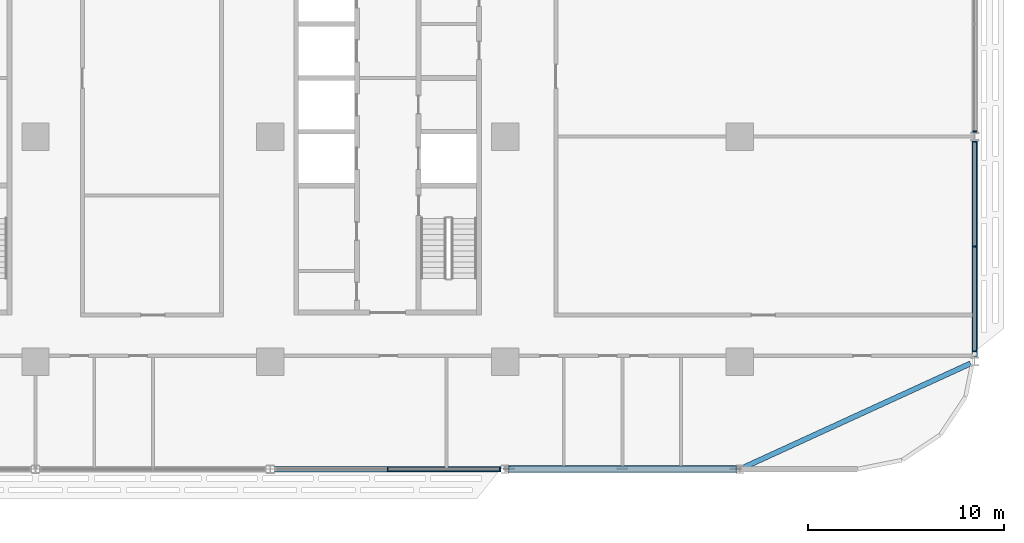
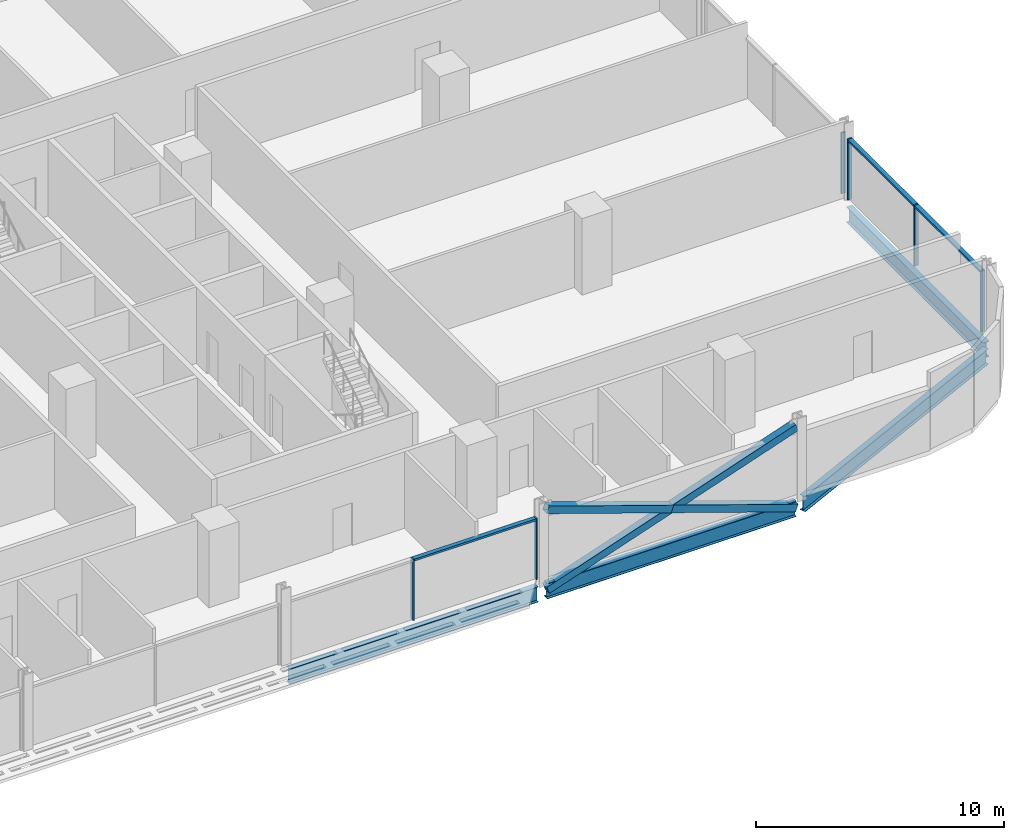
# One storey, part 8 of 29: 12 members, 4 beams, 3 elements without a shape of their own.
"""IFC4 building model written with IfcOpenShell, lengths in metres."""

from ifc_helpers import new_model, si_unit, direction, frame, origin, origin_2d, place, context, subcontext, project, spatial, rectangle, hollow_rectangle, i_section, extrude, material, material_profile, profile_set, type_object, element, aggregate, save


model = new_model("IFC4")

# Units and contexts
model_context = context("Model", 3, precision=1e-05, world=origin(), true_north=direction((0.0, 1.0)))
body_context = subcontext(model_context, "Body", "Model", "MODEL_VIEW")
ifc_project = project(units=[si_unit("LENGTHUNIT", "METRE"), si_unit("AREAUNIT", "SQUARE_METRE"), si_unit("VOLUMEUNIT", "CUBIC_METRE"), si_unit("PLANEANGLEUNIT", "RADIAN"), si_unit("MASSUNIT", "GRAM", prefix="KILO")], contexts=[model_context])

# Site, building, storey
site_placement = place(None, origin())
site = spatial("IfcSite", under=ifc_project, at=site_placement, CompositionType="ELEMENT")
building_placement = place(site_placement, origin())
building = spatial("IfcBuilding", under=site, at=building_placement, Name="Mahtab Terrace Research Tower", CompositionType="ELEMENT")
storey_placement = place(building_placement, frame((0.0, 0.0, 105.300048828125)))
storey = spatial("IfcBuildingStorey", under=building, at=storey_placement, Name="L24", CompositionType="ELEMENT", Elevation=105.300048828125)

# Members
ifc_material_1 = material(Name="Steel ASTM A500 Gr C", Category="steel")
ifc_material_profile_1 = material_profile(ifc_material_1, hollow_rectangle(XDim=0.355712890625, YDim=0.355712890625, WallThickness=0.01904296875, at=origin_2d()), Name="HSS14X14X3/4")
ifc_profile_set_1 = profile_set([ifc_material_profile_1], Name="Steel ASTM A500 Gr C")
member_type_1 = type_object("IfcMemberType", Name="HSS 14x14x3/4 brace XB141434", PredefinedType="BRACE", material=ifc_profile_set_1)
member_1_placement = place(storey_placement, frame((30.20947265625, -17.0, -0.64697265625), z_axis=(0.946292853795, 0.0, 0.323310740397), x_axis=(0.0, 1.0, 0.0)))
element("IfcMember", 1, at=member_1_placement, inside=storey, type_object=member_type_1, Name="Exoskeleton brace L24 18 a", PredefinedType="BRACE", context=body_context, shape_type="SweptSolid", body=[
    extrude(hollow_rectangle(XDim=0.355712890625, YDim=0.355712890625, WallThickness=0.01904296875, at=origin_2d()), origin(), (0.0, 0.0, 1.0), 12.23828125),
])
for number, where, z_axis, x_axis, name in (
    (2, (41.79052734375, -17.0, -0.64697265625), (-0.946286750388, 0.0, 0.323328603809), (0.0, -1.0, 0.0), "Exoskeleton brace L24 18 b1"),
    (3, (36.0, -17.0, 1.33154296875), (-0.946298956945, 0.0, 0.323292876639), (0.0, -1.0, 0.0), "Exoskeleton brace L24 18 b2"),
):
    element("IfcMember", number, at=place(storey_placement, frame(where, z_axis=z_axis, x_axis=x_axis)), inside=storey, type_object=member_type_1, Name=name, PredefinedType="BRACE", context=body_context, shape_type="SweptSolid", body=[
        extrude(hollow_rectangle(XDim=0.355712890625, YDim=0.355712890625, WallThickness=0.01904296875, at=origin_2d()), origin(), (0.0, 0.0, 1.0), 6.119140625),
    ])

# Curtain wall, members
ifc_material_2 = material(Name="Laboratory ribbon curtain wall")
curtain_wall_type = type_object("IfcCurtainWallType", Name="Laboratory ribbon curtain wall", PredefinedType="NOTDEFINED", material=ifc_material_2)
curtain_wall_1_placement = place(storey_placement, origin())
curtain_wall_1 = element("IfcCurtainWall", 4, at=curtain_wall_1_placement, inside=storey, type_object=curtain_wall_type, Name="EN.L24.13.28", PredefinedType="NOTDEFINED")
ifc_material_3 = material(Name="Natural anodised aluminium", Category="aluminium")
ifc_material_profile_2 = material_profile(ifc_material_3, rectangle(XDim=0.199951171875, YDim=0.06494140625, at=origin_2d()), Name="MULLION 65x200")
ifc_profile_set_2 = profile_set([ifc_material_profile_2], Name="Natural anodised aluminium")
member_type_2 = type_object("IfcMemberType", Name="Laboratory ribbon curtain wall mullion", PredefinedType="MULLION", material=ifc_profile_set_2)
member_2_placement = place(storey_placement, frame((24.0, -17.0, 0.0), z_axis=(0.0, 0.0, 1.0), x_axis=(0.0, 1.0, 0.0)))
member_2 = element("IfcMember", 5, at=member_2_placement, type_object=member_type_2, Name="CWL-3 mullion 2", PredefinedType="MULLION", context=body_context, shape_type="SweptSolid", body=[
    extrude(rectangle(XDim=0.199951171875, YDim=0.06494140625, at=origin_2d()), origin(), (0.0, 0.0, 1.0), 3.0029296875),
])
member_3_placement = place(storey_placement, frame((29.739501953125, -17.0, 0.0), z_axis=(0.0, 0.0, 1.0), x_axis=(0.0, 1.0, 0.0)))
member_3 = element("IfcMember", 6, at=member_3_placement, type_object=member_type_2, Name="CWL-3 mullion 3", PredefinedType="MULLION", context=body_context, shape_type="SweptSolid", body=[
    extrude(rectangle(XDim=0.199951171875, YDim=0.06494140625, at=origin_2d()), origin(), (0.0, 0.0, 1.0), 3.0029296875),
])

curtain_wall_2_placement = place(storey_placement, origin())
curtain_wall_2 = element("IfcCurtainWall", 7, at=curtain_wall_2_placement, inside=storey, type_object=curtain_wall_type, Name="EN.L24.18.36", PredefinedType="NOTDEFINED")
member_4_placement = place(storey_placement, frame((54.0, -10.967529296875, 0.0), z_axis=(0.0, 0.0, 1.0), x_axis=(-1.0, 0.0, 0.0)))
member_4 = element("IfcMember", 8, at=member_4_placement, type_object=member_type_2, Name="CWL-3 mullion 1", PredefinedType="MULLION", context=body_context, shape_type="SweptSolid", body=[
    extrude(rectangle(XDim=0.199951171875, YDim=0.06494140625, at=origin_2d()), origin(), (0.0, 0.0, 1.0), 3.0029296875),
])
member_5_placement = place(storey_placement, frame((54.0, -5.614013671875, 0.0), z_axis=(0.0, 0.0, 1.0), x_axis=(-1.0, 0.0, 0.0)))
member_5 = element("IfcMember", 9, at=member_5_placement, type_object=member_type_2, Name="CWL-3 mullion 2", PredefinedType="MULLION", context=body_context, shape_type="SweptSolid", body=[
    extrude(rectangle(XDim=0.199951171875, YDim=0.06494140625, at=origin_2d()), origin(), (0.0, 0.0, 1.0), 3.0029296875),
])
member_6_placement = place(storey_placement, frame((54.0, -0.260498046875, 0.0), z_axis=(0.0, 0.0, 1.0), x_axis=(-1.0, 0.0, 0.0)))
member_6 = element("IfcMember", 10, at=member_6_placement, type_object=member_type_2, Name="CWL-3 mullion 3", PredefinedType="MULLION", context=body_context, shape_type="SweptSolid", body=[
    extrude(rectangle(XDim=0.199951171875, YDim=0.06494140625, at=origin_2d()), origin(), (0.0, 0.0, 1.0), 3.0029296875),
])

# Curtain wall, member
curtain_wall_3_placement = place(storey_placement, origin())
curtain_wall_3 = element("IfcCurtainWall", 11, at=curtain_wall_3_placement, inside=storey, type_object=curtain_wall_type, Name="EN.L24.18.37", PredefinedType="NOTDEFINED")
member_7_placement = place(storey_placement, frame((54.0, 0.260498046875, 0.0), z_axis=(0.0, 0.0, 1.0), x_axis=(-1.0, 0.0, 0.0)))
member_7 = element("IfcMember", 12, at=member_7_placement, type_object=member_type_2, Name="CWL-3 mullion 1", PredefinedType="MULLION", context=body_context, shape_type="SweptSolid", body=[
    extrude(rectangle(XDim=0.199951171875, YDim=0.06494140625, at=origin_2d()), origin(), (0.0, 0.0, 1.0), 3.0029296875),
])
aggregate(curtain_wall_3, [member_7])

# Member
ifc_material_profile_3 = material_profile(ifc_material_3, rectangle(XDim=0.199951171875, YDim=0.10009765625, at=origin_2d()), Name="TRANSOM 100x200")
ifc_profile_set_3 = profile_set([ifc_material_profile_3], Name="Natural anodised aluminium")
member_type_3 = type_object("IfcMemberType", Name="Laboratory ribbon curtain wall transom", PredefinedType="USERDEFINED", material=ifc_profile_set_3)
member_8_placement = place(storey_placement, frame((24.032470703125, -17.0, 2.953125), z_axis=(1.0, 0.0, 0.0), x_axis=(0.0, 1.0, 0.0)))
member_8 = element("IfcMember", 13, at=member_8_placement, type_object=member_type_3, Name="CWL-3 transom 2", ObjectType="TRANSOM", PredefinedType="USERDEFINED", context=body_context, shape_type="SweptSolid", body=[
    extrude(rectangle(XDim=0.199951171875, YDim=0.10009765625, at=origin_2d()), origin(), (0.0, 0.0, 1.0), 5.674560546875),
])

aggregate(curtain_wall_1, [member_2, member_3, member_8])

member_9_placement = place(storey_placement, frame((54.0, -10.93505859375, 2.953125), z_axis=(0.0, 1.0, 0.0), x_axis=(-1.0, 0.0, 0.0)))
member_9 = element("IfcMember", 14, at=member_9_placement, type_object=member_type_3, Name="CWL-3 transom 1", ObjectType="TRANSOM", PredefinedType="USERDEFINED", context=body_context, shape_type="SweptSolid", body=[
    extrude(rectangle(XDim=0.199951171875, YDim=0.10009765625, at=origin_2d()), origin(), (0.0, 0.0, 1.0), 5.28857421875),
])

member_10_placement = place(storey_placement, frame((54.0, -5.58154296875, 2.953125), z_axis=(0.0, 1.0, 0.0), x_axis=(-1.0, 0.0, 0.0)))
member_10 = element("IfcMember", 15, at=member_10_placement, type_object=member_type_3, Name="CWL-3 transom 2", ObjectType="TRANSOM", PredefinedType="USERDEFINED", context=body_context, shape_type="SweptSolid", body=[
    extrude(rectangle(XDim=0.199951171875, YDim=0.10009765625, at=origin_2d()), origin(), (0.0, 0.0, 1.0), 5.28857421875),
])

aggregate(curtain_wall_2, [member_4, member_5, member_6, member_9, member_10])

# Beams
ifc_material_4 = material(Name="Steel ASTM A992 Gr 50", Category="steel")
ifc_material_profile_4 = material_profile(ifc_material_4, i_section(OverallWidth=0.2666015625, OverallDepth=0.7568359375, WebThickness=0.013916015625, FlangeThickness=0.019287109375, at=origin_2d()), Name="W30X108")
ifc_profile_set_4 = profile_set([ifc_material_profile_4], Name="Steel ASTM A992 Gr 50")
beam_type = type_object("IfcBeamType", Name="W30x108 beam BS30108", PredefinedType="BEAM", material=ifc_profile_set_4)
for number, where, z_axis, x_axis, name in (
    (16, (18.20947265625, -17.0, -0.718505859375), (1.0, 0.0, 0.0), (0.0, 1.0, 0.0), "Spandrel beam L24 17"),
    (17, (30.20947265625, -17.0, -0.718505859375), (1.0, 0.0, 0.0), (0.0, 1.0, 0.0), "Spandrel beam L24 18"),
):
    element("IfcBeam", number, at=place(storey_placement, frame(where, z_axis=z_axis, x_axis=x_axis)), inside=storey, type_object=beam_type, Name=name, PredefinedType="BEAM", context=body_context, shape_type="SweptSolid", body=[
        extrude(i_section(OverallWidth=0.2666015625, OverallDepth=0.7568359375, WebThickness=0.013916015625, FlangeThickness=0.019287109375, at=origin_2d()), origin(), (0.0, 0.0, 1.0), 11.5810546875),
    ])
beam_1_placement = place(storey_placement, frame((42.20947265625, -16.904052734375, -0.718505859375), z_axis=(0.909061193532, 0.416662629011, 0.0), x_axis=(-0.416662629011, 0.909061193532, 0.0)))
element("IfcBeam", 18, at=beam_1_placement, inside=storey, type_object=beam_type, Name="Spandrel beam L24 19", PredefinedType="BEAM", context=body_context, shape_type="SweptSolid", body=[
    extrude(i_section(OverallWidth=0.2666015625, OverallDepth=0.7568359375, WebThickness=0.013916015625, FlangeThickness=0.019287109375, at=origin_2d()), origin(), (0.0, 0.0, 1.0), 12.739501953125),
])
beam_2_placement = place(storey_placement, frame((54.0, -11.272705078125, -0.718505859375), z_axis=(0.0, 1.0, 0.0), x_axis=(-1.0, 0.0, 0.0)))
element("IfcBeam", 19, at=beam_2_placement, inside=storey, type_object=beam_type, Name="Spandrel beam L24 20", PredefinedType="BEAM", context=body_context, shape_type="SweptSolid", body=[
    extrude(i_section(OverallWidth=0.2666015625, OverallDepth=0.7568359375, WebThickness=0.013916015625, FlangeThickness=0.019287109375, at=origin_2d()), origin(), (0.0, 0.0, 1.0), 11.04541015625),
])

save(model, "model.ifc")
